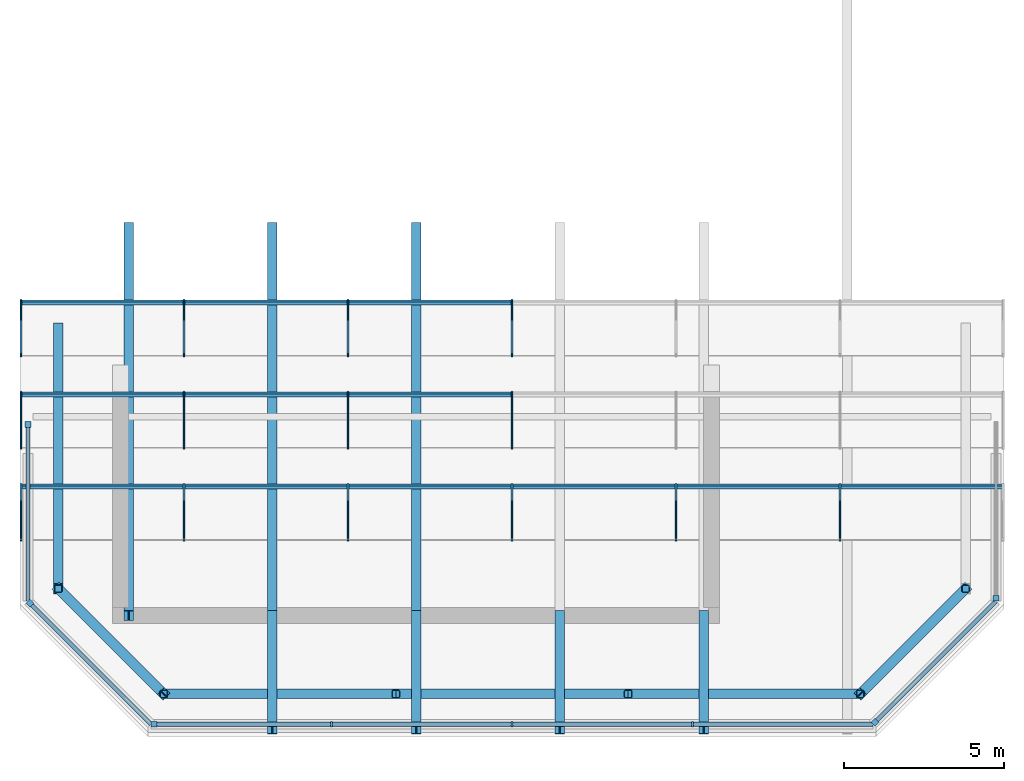
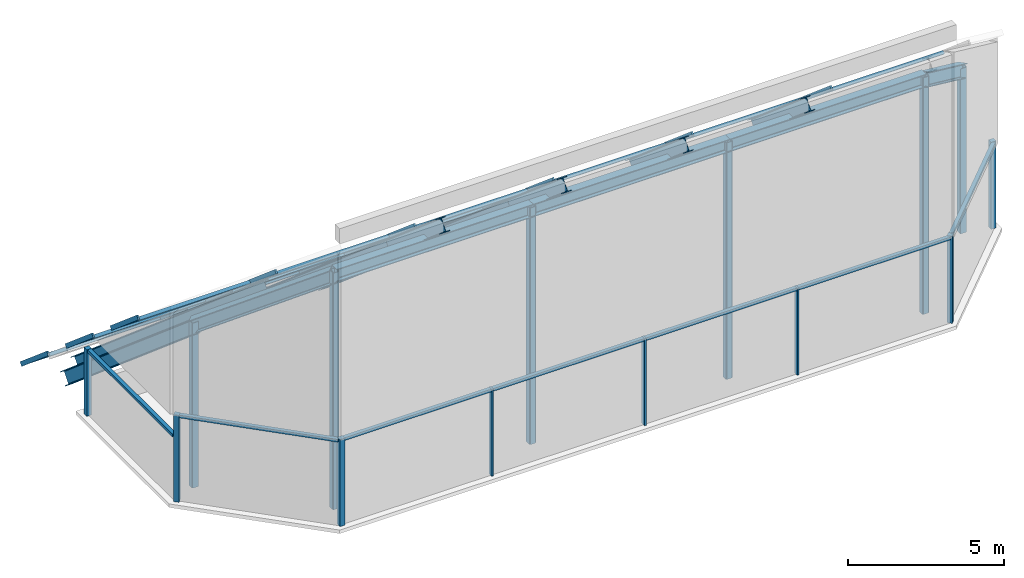
# One storey, part 1 of 3: 48 members, 6 beams, 6 columns, 8 elements without a shape of their own.
"""IFC4 building model written with IfcOpenShell, lengths in metres."""

from ifc_helpers import new_model, si_unit, direction, frame, origin, origin_2d, place, context, subcontext, project, spatial, rectangle, hollow_rectangle, i_section, extrude, material, material_profile, profile_set, type_object, element, aggregate, save


model = new_model("IFC4")

# Units and contexts
model_context = context("Model", 3, precision=1e-05, world=origin(), true_north=direction((0.0, 1.0)))
body_context = subcontext(model_context, "Body", "Model", "MODEL_VIEW")
ifc_project = project(units=[si_unit("LENGTHUNIT", "METRE"), si_unit("AREAUNIT", "SQUARE_METRE"), si_unit("VOLUMEUNIT", "CUBIC_METRE"), si_unit("PLANEANGLEUNIT", "RADIAN"), si_unit("MASSUNIT", "GRAM", prefix="KILO")], contexts=[model_context])

# Site, building, storey
site_placement = place(None, origin())
site = spatial("IfcSite", under=ifc_project, at=site_placement, CompositionType="ELEMENT")
building_placement = place(site_placement, origin())
building = spatial("IfcBuilding", under=site, at=building_placement, Name="Tskaro Facet Tower", CompositionType="ELEMENT")
storey_placement = place(building_placement, frame((0.0, 0.0, 315.300048828125)))
storey = spatial("IfcBuildingStorey", under=building, at=storey_placement, Name="L85", CompositionType="ELEMENT", Elevation=315.300048828125)

# Columns
ifc_material_1 = material(Name="Steel S355J2H", Category="steel")
ifc_material_profile_1 = material_profile(ifc_material_1, hollow_rectangle(XDim=0.25, YDim=0.25, WallThickness=0.02001953125, InnerFilletRadius=0.030029296875, OuterFilletRadius=0.050048828125, at=origin_2d()), Name="SHS 250x250x20")
ifc_profile_set_1 = profile_set([ifc_material_profile_1], Name="Steel S355J2H")
column_type = type_object("IfcColumnType", Name="SHS 250x250x20 ring column", PredefinedType="COLUMN", material=ifc_profile_set_1)
for number, where, z_axis, x_axis, name in (
    (1, (-7.903076171875, -14.199951171875, 0.0), (0.0, 0.0, 1.0), (1.0, 0.0, 0.0), "SHS 250x250x20 RS-1/6"),
    (2, (-0.634033203125, -14.199951171875, 0.0), (0.0, 0.0, 1.0), (1.0, 0.0, 0.0), "SHS 250x250x20 RS-2/6"),
    (3, (6.634033203125, -14.199951171875, 0.0), (0.0, 0.0, 1.0), (1.0, 0.0, 0.0), "SHS 250x250x20 RS-3/6"),
    (4, (13.903076171875, -14.199951171875, 0.0), (0.0, 0.0, 1.0), (1.0, 0.0, 0.0), "SHS 250x250x20 RSE-1/6"),
):
    element("IfcColumn", number, at=place(storey_placement, frame(where, z_axis=z_axis, x_axis=x_axis)), inside=storey, type_object=column_type, Name=name, PredefinedType="COLUMN", context=body_context, shape_type="SweptSolid", body=[
        extrude(hollow_rectangle(XDim=0.25, YDim=0.25, WallThickness=0.02001953125, InnerFilletRadius=0.030029296875, OuterFilletRadius=0.050048828125, at=origin_2d()), origin(), (0.0, 0.0, 1.0), 9.25439453125),
    ])
for number, where, z_axis, x_axis, name in (
    (5, (17.199951171875, -10.903076171875, 0.0), (0.0, 0.0, 1.0), (1.0, 0.0, 0.0), "SHS 250x250x20 RE-1/6"),
    (6, (-11.199951171875, -10.903076171875, 0.0), (0.0, 0.0, 1.0), (1.0, 0.0, 0.0), "SHS 250x250x20 RSW-1/6"),
):
    element("IfcColumn", number, at=place(storey_placement, frame(where, z_axis=z_axis, x_axis=x_axis)), inside=storey, type_object=column_type, Name=name, PredefinedType="COLUMN", context=body_context, shape_type="SweptSolid", body=[
        extrude(hollow_rectangle(XDim=0.25, YDim=0.25, WallThickness=0.02001953125, InnerFilletRadius=0.030029296875, OuterFilletRadius=0.050048828125, at=origin_2d()), origin(), (0.0, 0.0, 1.0), 6.451904296875),
    ])

# Curtain wall, member
ifc_material_2 = material(Name="Bronze anodised aluminium 6063-T6", Category="aluminium")
curtain_wall_type_1 = type_object("IfcCurtainWallType", Name="Bronze crown curtain wall (FW5)", PredefinedType="NOTDEFINED", material=ifc_material_2)
curtain_wall_1_placement = place(storey_placement, origin())
curtain_wall_1 = element("IfcCurtainWall", 7, at=curtain_wall_1_placement, inside=storey, type_object=curtain_wall_type_1, Name="FW5 south facet L85", PredefinedType="NOTDEFINED")
ifc_material_profile_2 = material_profile(ifc_material_2, rectangle(XDim=0.179931640625, YDim=0.179931640625, at=origin_2d()), Name="Corner post 180x180")
ifc_profile_set_2 = profile_set([ifc_material_profile_2], Name="Bronze anodised aluminium 6063-T6")
member_type_1 = type_object("IfcMemberType", Name="FW5 bronze corner post 180x180", PredefinedType="MULLION", material=ifc_profile_set_2)
member_1_placement = place(storey_placement, frame((-8.2060546875, -15.14990234375, 0.0), z_axis=(0.0, 0.0, 1.0), x_axis=(1.0, 0.0, 0.0)))
member_1 = element("IfcMember", 8, at=member_1_placement, type_object=member_type_1, Name="FW5 south corner post", PredefinedType="MULLION", context=body_context, shape_type="SweptSolid", body=[
    extrude(rectangle(XDim=0.179931640625, YDim=0.179931640625, at=origin_2d()), origin(), (0.0, 0.0, 1.0), 3.39990234375),
])

curtain_wall_2_placement = place(storey_placement, origin())
curtain_wall_2 = element("IfcCurtainWall", 9, at=curtain_wall_2_placement, inside=storey, type_object=curtain_wall_type_1, Name="FW5 south-east facet L85", PredefinedType="NOTDEFINED")
member_2_placement = place(storey_placement, frame((14.359619140625, -15.08642578125, 0.0), z_axis=(0.0, 0.0, 1.0), x_axis=(0.707106781187, 0.707106781187, 0.0)))
member_2 = element("IfcMember", 10, at=member_2_placement, type_object=member_type_1, Name="FW5 south-east corner post", PredefinedType="MULLION", context=body_context, shape_type="SweptSolid", body=[
    extrude(rectangle(XDim=0.179931640625, YDim=0.179931640625, at=origin_2d()), origin(), (0.0, 0.0, 1.0), 3.39990234375),
])

curtain_wall_3_placement = place(storey_placement, origin())
curtain_wall_3 = element("IfcCurtainWall", 11, at=curtain_wall_3_placement, inside=storey, type_object=curtain_wall_type_1, Name="FW5 east facet L85", PredefinedType="NOTDEFINED")
member_3_placement = place(storey_placement, frame((18.14990234375, -11.2060546875, 0.0), z_axis=(0.0, 0.0, 1.0), x_axis=(0.0, 1.0, 0.0)))
member_3 = element("IfcMember", 12, at=member_3_placement, type_object=member_type_1, Name="FW5 east corner post", PredefinedType="MULLION", context=body_context, shape_type="SweptSolid", body=[
    extrude(rectangle(XDim=0.179931640625, YDim=0.179931640625, at=origin_2d()), origin(), (0.0, 0.0, 1.0), 3.39990234375),
])
aggregate(curtain_wall_3, [member_3])

curtain_wall_4_placement = place(storey_placement, origin())
curtain_wall_4 = element("IfcCurtainWall", 13, at=curtain_wall_4_placement, inside=storey, type_object=curtain_wall_type_1, Name="FW5 west facet L85", PredefinedType="NOTDEFINED")
member_4_placement = place(storey_placement, frame((-12.14990234375, -5.763916015625, 0.0), z_axis=(0.0, 0.0, 1.0), x_axis=(0.0, -1.0, 0.0)))
member_4 = element("IfcMember", 14, at=member_4_placement, type_object=member_type_1, Name="FW5 west corner post", PredefinedType="MULLION", context=body_context, shape_type="SweptSolid", body=[
    extrude(rectangle(XDim=0.179931640625, YDim=0.179931640625, at=origin_2d()), origin(), (0.0, 0.0, 1.0), 2.600341796875),
])

curtain_wall_5_placement = place(storey_placement, origin())
curtain_wall_5 = element("IfcCurtainWall", 15, at=curtain_wall_5_placement, inside=storey, type_object=curtain_wall_type_1, Name="FW5 south-west facet L85", PredefinedType="NOTDEFINED")
member_5_placement = place(storey_placement, frame((-12.08642578125, -11.359619140625, 0.0), z_axis=(0.0, 0.0, 1.0), x_axis=(0.707106781187, -0.707106781187, 0.0)))
member_5 = element("IfcMember", 16, at=member_5_placement, type_object=member_type_1, Name="FW5 south-west corner post", PredefinedType="MULLION", context=body_context, shape_type="SweptSolid", body=[
    extrude(rectangle(XDim=0.179931640625, YDim=0.179931640625, at=origin_2d()), origin(), (0.0, 0.0, 1.0), 3.39990234375),
])

# Member
ifc_material_profile_3 = material_profile(ifc_material_2, rectangle(XDim=0.070068359375, YDim=0.179931640625, at=origin_2d()), Name="Mullion 70x180")
ifc_profile_set_3 = profile_set([ifc_material_profile_3], Name="Bronze anodised aluminium 6063-T6")
member_type_2 = type_object("IfcMemberType", Name="FW5 bronze mullion 70x180", PredefinedType="MULLION", material=ifc_profile_set_3)
member_6_placement = place(storey_placement, frame((-2.64794921875, -15.14990234375, 0.0), z_axis=(0.0, 0.0, 1.0), x_axis=(1.0, 0.0, 0.0)))
member_6 = element("IfcMember", 17, at=member_6_placement, type_object=member_type_2, Name="FW5 south mullion 1", PredefinedType="MULLION", context=body_context, shape_type="SweptSolid", body=[
    extrude(rectangle(XDim=0.070068359375, YDim=0.179931640625, at=origin_2d()), origin(), (0.0, 0.0, 1.0), 3.39990234375),
])

member_7_placement = place(storey_placement, frame((3.0, -15.14990234375, 0.0), z_axis=(0.0, 0.0, 1.0), x_axis=(1.0, 0.0, 0.0)))
member_7 = element("IfcMember", 18, at=member_7_placement, type_object=member_type_2, Name="FW5 south mullion 2", PredefinedType="MULLION", context=body_context, shape_type="SweptSolid", body=[
    extrude(rectangle(XDim=0.070068359375, YDim=0.179931640625, at=origin_2d()), origin(), (0.0, 0.0, 1.0), 3.39990234375),
])

member_8_placement = place(storey_placement, frame((8.64794921875, -15.14990234375, 0.0), z_axis=(0.0, 0.0, 1.0), x_axis=(1.0, 0.0, 0.0)))
member_8 = element("IfcMember", 19, at=member_8_placement, type_object=member_type_2, Name="FW5 south mullion 3", PredefinedType="MULLION", context=body_context, shape_type="SweptSolid", body=[
    extrude(rectangle(XDim=0.070068359375, YDim=0.179931640625, at=origin_2d()), origin(), (0.0, 0.0, 1.0), 3.39990234375),
])

ifc_material_profile_4 = material_profile(ifc_material_2, rectangle(XDim=0.139892578125, YDim=0.110107421875, at=origin_2d()), Name="Transom 140x110")
ifc_profile_set_4 = profile_set([ifc_material_profile_4], Name="Bronze anodised aluminium 6063-T6")
member_type_3 = type_object("IfcMemberType", Name="FW5 bronze transom 140x110", PredefinedType="USERDEFINED", material=ifc_profile_set_4)
member_9_placement = place(storey_placement, frame((-8.115966796875, -15.14990234375, 3.344970703125), z_axis=(1.0, 0.0, 0.0), x_axis=(0.0, 1.0, 0.0)))
member_9 = element("IfcMember", 20, at=member_9_placement, type_object=member_type_3, Name="FW5 south transom 1.1", ObjectType="TRANSOM", PredefinedType="USERDEFINED", context=body_context, shape_type="SweptSolid", body=[
    extrude(rectangle(XDim=0.139892578125, YDim=0.110107421875, at=origin_2d()), origin(), (0.0, 0.0, 1.0), 5.432861328125),
])

member_10_placement = place(storey_placement, frame((-2.613037109375, -15.14990234375, 3.344970703125), z_axis=(1.0, 0.0, 0.0), x_axis=(0.0, 1.0, 0.0)))
member_10 = element("IfcMember", 21, at=member_10_placement, type_object=member_type_3, Name="FW5 south transom 2.1", ObjectType="TRANSOM", PredefinedType="USERDEFINED", context=body_context, shape_type="SweptSolid", body=[
    extrude(rectangle(XDim=0.139892578125, YDim=0.110107421875, at=origin_2d()), origin(), (0.0, 0.0, 1.0), 5.578125),
])

member_11_placement = place(storey_placement, frame((3.034912109375, -15.14990234375, 3.344970703125), z_axis=(1.0, 0.0, 0.0), x_axis=(0.0, 1.0, 0.0)))
member_11 = element("IfcMember", 22, at=member_11_placement, type_object=member_type_3, Name="FW5 south transom 3.1", ObjectType="TRANSOM", PredefinedType="USERDEFINED", context=body_context, shape_type="SweptSolid", body=[
    extrude(rectangle(XDim=0.139892578125, YDim=0.110107421875, at=origin_2d()), origin(), (0.0, 0.0, 1.0), 5.578125),
])

member_12_placement = place(storey_placement, frame((8.68310546875, -15.14990234375, 3.344970703125), z_axis=(1.0, 0.0, 0.0), x_axis=(0.0, 1.0, 0.0)))
member_12 = element("IfcMember", 23, at=member_12_placement, type_object=member_type_3, Name="FW5 south transom 4.1", ObjectType="TRANSOM", PredefinedType="USERDEFINED", context=body_context, shape_type="SweptSolid", body=[
    extrude(rectangle(XDim=0.139892578125, YDim=0.110107421875, at=origin_2d()), origin(), (0.0, 0.0, 1.0), 5.61279296875),
])

aggregate(curtain_wall_1, [member_1, member_6, member_7, member_8, member_9, member_10, member_11, member_12])

member_13_placement = place(storey_placement, frame((14.42333984375, -15.022705078125, 3.344970703125), z_axis=(0.707083619001, 0.707129942613, 0.0), x_axis=(-0.707129942613, 0.707083619001, 0.0)))
member_13 = element("IfcMember", 24, at=member_13_placement, type_object=member_type_3, Name="FW5 south-east transom 1.1", ObjectType="TRANSOM", PredefinedType="USERDEFINED", context=body_context, shape_type="SweptSolid", body=[
    extrude(rectangle(XDim=0.139892578125, YDim=0.110107421875, at=origin_2d()), origin(), (0.0, 0.0, 1.0), 5.270263671875),
])

aggregate(curtain_wall_2, [member_2, member_13])

member_14_placement = place(storey_placement, frame((-12.14990234375, -5.85400390625, 2.54541015625), z_axis=(0.0, -1.0, 0.0), x_axis=(1.0, 0.0, 0.0)))
member_14 = element("IfcMember", 25, at=member_14_placement, type_object=member_type_3, Name="FW5 west transom 1.1", ObjectType="TRANSOM", PredefinedType="USERDEFINED", context=body_context, shape_type="SweptSolid", body=[
    extrude(rectangle(XDim=0.139892578125, YDim=0.110107421875, at=origin_2d()), origin(), (0.0, 0.0, 1.0), 5.44189453125),
])

aggregate(curtain_wall_4, [member_4, member_14])

member_15_placement = place(storey_placement, frame((-12.022705078125, -11.42333984375, 3.344970703125), z_axis=(0.707129942613, -0.707083619001, 0.0), x_axis=(0.707083619001, 0.707129942613, 0.0)))
member_15 = element("IfcMember", 26, at=member_15_placement, type_object=member_type_3, Name="FW5 south-west transom 1.1", ObjectType="TRANSOM", PredefinedType="USERDEFINED", context=body_context, shape_type="SweptSolid", body=[
    extrude(rectangle(XDim=0.139892578125, YDim=0.110107421875, at=origin_2d()), origin(), (0.0, 0.0, 1.0), 5.270263671875),
])

aggregate(curtain_wall_5, [member_5, member_15])

# Curtain wall, members
curtain_wall_type_2 = type_object("IfcCurtainWallType", Name="Bronze crown roof glazing (FW6)", PredefinedType="NOTDEFINED", material=ifc_material_2)
curtain_wall_6_placement = place(storey_placement, origin())
curtain_wall_6 = element("IfcCurtainWall", 27, at=curtain_wall_6_placement, inside=storey, type_object=curtain_wall_type_2, Name="FW6 roof glazing strip 1", PredefinedType="NOTDEFINED")
ifc_material_profile_5 = material_profile(ifc_material_2, rectangle(XDim=0.06005859375, YDim=0.159912109375, at=origin_2d()), Name="Mullion 60x160")
ifc_profile_set_5 = profile_set([ifc_material_profile_5], Name="Bronze anodised aluminium 6063-T6")
member_type_4 = type_object("IfcMemberType", Name="FW6 bronze mullion 60x160", PredefinedType="MULLION", material=ifc_profile_set_5)
member_16_placement = place(storey_placement, frame((-12.3701171875, -9.36669921875, 6.051513671875), z_axis=(0.0, 0.761969017427, -0.647613477687), x_axis=(-1.0, 0.0, 0.0)))
member_16 = element("IfcMember", 28, at=member_16_placement, type_object=member_type_4, Name="FW6 roof mullion 1.1", PredefinedType="MULLION", context=body_context, shape_type="SweptSolid", body=[
    extrude(rectangle(XDim=0.06005859375, YDim=0.159912109375, at=origin_2d()), origin(), (0.0, 0.0, 1.0), 2.23095703125),
])
member_17_placement = place(storey_placement, frame((-7.2666015625, -9.36669921875, 6.051513671875), z_axis=(0.0, 0.761969017427, -0.647613477687), x_axis=(-1.0, 0.0, 0.0)))
member_17 = element("IfcMember", 29, at=member_17_placement, type_object=member_type_4, Name="FW6 roof mullion 1.2", PredefinedType="MULLION", context=body_context, shape_type="SweptSolid", body=[
    extrude(rectangle(XDim=0.06005859375, YDim=0.159912109375, at=origin_2d()), origin(), (0.0, 0.0, 1.0), 2.23095703125),
])
member_18_placement = place(storey_placement, frame((-2.13330078125, -9.36669921875, 6.051513671875), z_axis=(0.0, 0.761969017427, -0.647613477687), x_axis=(-1.0, 0.0, 0.0)))
member_18 = element("IfcMember", 30, at=member_18_placement, type_object=member_type_4, Name="FW6 roof mullion 1.3", PredefinedType="MULLION", context=body_context, shape_type="SweptSolid", body=[
    extrude(rectangle(XDim=0.06005859375, YDim=0.159912109375, at=origin_2d()), origin(), (0.0, 0.0, 1.0), 2.23095703125),
])
member_19_placement = place(storey_placement, frame((3.0, -9.36669921875, 6.051513671875), z_axis=(0.0, 0.761969017427, -0.647613477687), x_axis=(-1.0, 0.0, 0.0)))
member_19 = element("IfcMember", 31, at=member_19_placement, type_object=member_type_4, Name="FW6 roof mullion 1.4", PredefinedType="MULLION", context=body_context, shape_type="SweptSolid", body=[
    extrude(rectangle(XDim=0.06005859375, YDim=0.159912109375, at=origin_2d()), origin(), (0.0, 0.0, 1.0), 2.23095703125),
])
member_20_placement = place(storey_placement, frame((8.13330078125, -9.36669921875, 6.051513671875), z_axis=(0.0, 0.761969017427, -0.647613477687), x_axis=(-1.0, 0.0, 0.0)))
member_20 = element("IfcMember", 32, at=member_20_placement, type_object=member_type_4, Name="FW6 roof mullion 1.5", PredefinedType="MULLION", context=body_context, shape_type="SweptSolid", body=[
    extrude(rectangle(XDim=0.06005859375, YDim=0.159912109375, at=origin_2d()), origin(), (0.0, 0.0, 1.0), 2.23095703125),
])
member_21_placement = place(storey_placement, frame((13.2666015625, -9.36669921875, 6.051513671875), z_axis=(0.0, 0.761969017427, -0.647613477687), x_axis=(-1.0, 0.0, 0.0)))
member_21 = element("IfcMember", 33, at=member_21_placement, type_object=member_type_4, Name="FW6 roof mullion 1.6", PredefinedType="MULLION", context=body_context, shape_type="SweptSolid", body=[
    extrude(rectangle(XDim=0.06005859375, YDim=0.159912109375, at=origin_2d()), origin(), (0.0, 0.0, 1.0), 2.23095703125),
])

curtain_wall_7_placement = place(storey_placement, origin())
curtain_wall_7 = element("IfcCurtainWall", 34, at=curtain_wall_7_placement, inside=storey, type_object=curtain_wall_type_2, Name="FW6 roof glazing strip 2", PredefinedType="NOTDEFINED")
member_22_placement = place(storey_placement, frame((-12.3701171875, -6.4833984375, 3.600830078125), z_axis=(0.0, 0.761915018562, -0.6476770063), x_axis=(-1.0, 0.0, 0.0)))
member_22 = element("IfcMember", 35, at=member_22_placement, type_object=member_type_4, Name="FW6 roof mullion 2.1", PredefinedType="MULLION", context=body_context, shape_type="SweptSolid", body=[
    extrude(rectangle(XDim=0.06005859375, YDim=0.159912109375, at=origin_2d()), origin(), (0.0, 0.0, 1.0), 2.231201171875),
])
member_23_placement = place(storey_placement, frame((-7.2666015625, -6.4833984375, 3.600830078125), z_axis=(0.0, 0.761915018562, -0.6476770063), x_axis=(-1.0, 0.0, 0.0)))
member_23 = element("IfcMember", 36, at=member_23_placement, type_object=member_type_4, Name="FW6 roof mullion 2.2", PredefinedType="MULLION", context=body_context, shape_type="SweptSolid", body=[
    extrude(rectangle(XDim=0.06005859375, YDim=0.159912109375, at=origin_2d()), origin(), (0.0, 0.0, 1.0), 2.231201171875),
])
member_24_placement = place(storey_placement, frame((-2.13330078125, -6.4833984375, 3.600830078125), z_axis=(0.0, 0.761915018562, -0.6476770063), x_axis=(-1.0, 0.0, 0.0)))
member_24 = element("IfcMember", 37, at=member_24_placement, type_object=member_type_4, Name="FW6 roof mullion 2.3", PredefinedType="MULLION", context=body_context, shape_type="SweptSolid", body=[
    extrude(rectangle(XDim=0.06005859375, YDim=0.159912109375, at=origin_2d()), origin(), (0.0, 0.0, 1.0), 2.231201171875),
])
member_25_placement = place(storey_placement, frame((3.0, -6.4833984375, 3.600830078125), z_axis=(0.0, 0.761915018562, -0.6476770063), x_axis=(-1.0, 0.0, 0.0)))
member_25 = element("IfcMember", 38, at=member_25_placement, type_object=member_type_4, Name="FW6 roof mullion 2.4", PredefinedType="MULLION", context=body_context, shape_type="SweptSolid", body=[
    extrude(rectangle(XDim=0.06005859375, YDim=0.159912109375, at=origin_2d()), origin(), (0.0, 0.0, 1.0), 2.231201171875),
])

curtain_wall_8_placement = place(storey_placement, origin())
curtain_wall_8 = element("IfcCurtainWall", 39, at=curtain_wall_8_placement, inside=storey, type_object=curtain_wall_type_2, Name="FW6 roof glazing strip 3", PredefinedType="NOTDEFINED")
member_26_placement = place(storey_placement, frame((-12.3701171875, -3.60009765625, 1.14990234375), z_axis=(0.0, 0.761960914345, -0.647623011489), x_axis=(-1.0, 0.0, 0.0)))
member_26 = element("IfcMember", 40, at=member_26_placement, type_object=member_type_4, Name="FW6 roof mullion 3.1", PredefinedType="MULLION", context=body_context, shape_type="SweptSolid", body=[
    extrude(rectangle(XDim=0.06005859375, YDim=0.159912109375, at=origin_2d()), origin(), (0.0, 0.0, 1.0), 2.2314453125),
])
member_27_placement = place(storey_placement, frame((-7.2666015625, -3.60009765625, 1.14990234375), z_axis=(0.0, 0.761960914345, -0.647623011489), x_axis=(-1.0, 0.0, 0.0)))
member_27 = element("IfcMember", 41, at=member_27_placement, type_object=member_type_4, Name="FW6 roof mullion 3.2", PredefinedType="MULLION", context=body_context, shape_type="SweptSolid", body=[
    extrude(rectangle(XDim=0.06005859375, YDim=0.159912109375, at=origin_2d()), origin(), (0.0, 0.0, 1.0), 2.2314453125),
])
member_28_placement = place(storey_placement, frame((-2.13330078125, -3.60009765625, 1.14990234375), z_axis=(0.0, 0.761960914345, -0.647623011489), x_axis=(-1.0, 0.0, 0.0)))
member_28 = element("IfcMember", 42, at=member_28_placement, type_object=member_type_4, Name="FW6 roof mullion 3.3", PredefinedType="MULLION", context=body_context, shape_type="SweptSolid", body=[
    extrude(rectangle(XDim=0.06005859375, YDim=0.159912109375, at=origin_2d()), origin(), (0.0, 0.0, 1.0), 2.2314453125),
])
member_29_placement = place(storey_placement, frame((3.0, -3.60009765625, 1.14990234375), z_axis=(0.0, 0.761960914345, -0.647623011489), x_axis=(-1.0, 0.0, 0.0)))
member_29 = element("IfcMember", 43, at=member_29_placement, type_object=member_type_4, Name="FW6 roof mullion 3.4", PredefinedType="MULLION", context=body_context, shape_type="SweptSolid", body=[
    extrude(rectangle(XDim=0.06005859375, YDim=0.159912109375, at=origin_2d()), origin(), (0.0, 0.0, 1.0), 2.2314453125),
])

# Member
ifc_material_profile_6 = material_profile(ifc_material_2, rectangle(XDim=0.1201171875, YDim=0.10009765625, at=origin_2d()), Name="Transom 120x100")
ifc_profile_set_6 = profile_set([ifc_material_profile_6], Name="Bronze anodised aluminium 6063-T6")
member_type_5 = type_object("IfcMemberType", Name="FW6 bronze transom 120x100", PredefinedType="USERDEFINED", material=ifc_profile_set_6)
member_30_placement = place(storey_placement, frame((-12.3701171875, -7.71240234375, 4.6455078125), z_axis=(1.0, 0.0, 0.0), x_axis=(0.0, 0.761939317761, 0.647648420094)))
member_30 = element("IfcMember", 44, at=member_30_placement, type_object=member_type_5, Name="FW6 roof transom 1.1", ObjectType="TRANSOM", PredefinedType="USERDEFINED", context=body_context, shape_type="SweptSolid", body=[
    extrude(rectangle(XDim=0.1201171875, YDim=0.10009765625, at=origin_2d()), origin(), (0.0, 0.0, 1.0), 5.073486328125),
])

member_31_placement = place(storey_placement, frame((-7.236572265625, -7.71240234375, 4.6455078125), z_axis=(1.0, 0.0, 0.0), x_axis=(0.0, 0.761939317761, 0.647648420094)))
member_31 = element("IfcMember", 45, at=member_31_placement, type_object=member_type_5, Name="FW6 roof transom 1.2", ObjectType="TRANSOM", PredefinedType="USERDEFINED", context=body_context, shape_type="SweptSolid", body=[
    extrude(rectangle(XDim=0.1201171875, YDim=0.10009765625, at=origin_2d()), origin(), (0.0, 0.0, 1.0), 5.0732421875),
])

member_32_placement = place(storey_placement, frame((-2.103271484375, -7.71240234375, 4.6455078125), z_axis=(1.0, 0.0, 0.0), x_axis=(0.0, 0.761939317761, 0.647648420094)))
member_32 = element("IfcMember", 46, at=member_32_placement, type_object=member_type_5, Name="FW6 roof transom 1.3", ObjectType="TRANSOM", PredefinedType="USERDEFINED", context=body_context, shape_type="SweptSolid", body=[
    extrude(rectangle(XDim=0.1201171875, YDim=0.10009765625, at=origin_2d()), origin(), (0.0, 0.0, 1.0), 5.0732421875),
])

member_33_placement = place(storey_placement, frame((3.030029296875, -7.71240234375, 4.6455078125), z_axis=(1.0, 0.0, 0.0), x_axis=(0.0, 0.761939317761, 0.647648420094)))
member_33 = element("IfcMember", 47, at=member_33_placement, type_object=member_type_5, Name="FW6 roof transom 1.4", ObjectType="TRANSOM", PredefinedType="USERDEFINED", context=body_context, shape_type="SweptSolid", body=[
    extrude(rectangle(XDim=0.1201171875, YDim=0.10009765625, at=origin_2d()), origin(), (0.0, 0.0, 1.0), 5.0732421875),
])

member_34_placement = place(storey_placement, frame((8.163330078125, -7.71240234375, 4.6455078125), z_axis=(1.0, 0.0, 0.0), x_axis=(0.0, 0.761939317761, 0.647648420094)))
member_34 = element("IfcMember", 48, at=member_34_placement, type_object=member_type_5, Name="FW6 roof transom 1.5", ObjectType="TRANSOM", PredefinedType="USERDEFINED", context=body_context, shape_type="SweptSolid", body=[
    extrude(rectangle(XDim=0.1201171875, YDim=0.10009765625, at=origin_2d()), origin(), (0.0, 0.0, 1.0), 5.0732421875),
])

member_35_placement = place(storey_placement, frame((13.296630859375, -7.71240234375, 4.6455078125), z_axis=(1.0, 0.0, 0.0), x_axis=(0.0, 0.761939317761, 0.647648420094)))
member_35 = element("IfcMember", 49, at=member_35_placement, type_object=member_type_5, Name="FW6 roof transom 1.6", ObjectType="TRANSOM", PredefinedType="USERDEFINED", context=body_context, shape_type="SweptSolid", body=[
    extrude(rectangle(XDim=0.1201171875, YDim=0.10009765625, at=origin_2d()), origin(), (0.0, 0.0, 1.0), 5.073486328125),
])

aggregate(curtain_wall_6, [member_16, member_17, member_18, member_19, member_20, member_21, member_30, member_31, member_32, member_33, member_34, member_35])

member_36_placement = place(storey_placement, frame((-12.3701171875, -4.8291015625, 2.194580078125), z_axis=(1.0, 0.0, 0.0), x_axis=(0.0, 0.761939317761, 0.647648420094)))
member_36 = element("IfcMember", 50, at=member_36_placement, type_object=member_type_5, Name="FW6 roof transom 2.1", ObjectType="TRANSOM", PredefinedType="USERDEFINED", context=body_context, shape_type="SweptSolid", body=[
    extrude(rectangle(XDim=0.1201171875, YDim=0.10009765625, at=origin_2d()), origin(), (0.0, 0.0, 1.0), 5.073486328125),
])

member_37_placement = place(storey_placement, frame((-7.236572265625, -4.8291015625, 2.194580078125), z_axis=(1.0, 0.0, 0.0), x_axis=(0.0, 0.761939317761, 0.647648420094)))
member_37 = element("IfcMember", 51, at=member_37_placement, type_object=member_type_5, Name="FW6 roof transom 2.2", ObjectType="TRANSOM", PredefinedType="USERDEFINED", context=body_context, shape_type="SweptSolid", body=[
    extrude(rectangle(XDim=0.1201171875, YDim=0.10009765625, at=origin_2d()), origin(), (0.0, 0.0, 1.0), 5.0732421875),
])

member_38_placement = place(storey_placement, frame((-2.103271484375, -4.8291015625, 2.194580078125), z_axis=(1.0, 0.0, 0.0), x_axis=(0.0, 0.761939317761, 0.647648420094)))
member_38 = element("IfcMember", 52, at=member_38_placement, type_object=member_type_5, Name="FW6 roof transom 2.3", ObjectType="TRANSOM", PredefinedType="USERDEFINED", context=body_context, shape_type="SweptSolid", body=[
    extrude(rectangle(XDim=0.1201171875, YDim=0.10009765625, at=origin_2d()), origin(), (0.0, 0.0, 1.0), 5.0732421875),
])

aggregate(curtain_wall_7, [member_22, member_23, member_24, member_25, member_36, member_37, member_38])

member_39_placement = place(storey_placement, frame((-12.3701171875, -1.94580078125, -0.256103515625), z_axis=(1.0, 0.0, 0.0), x_axis=(0.0, 0.761939317761, 0.647648420094)))
member_39 = element("IfcMember", 53, at=member_39_placement, type_object=member_type_5, Name="FW6 roof transom 3.1", ObjectType="TRANSOM", PredefinedType="USERDEFINED", context=body_context, shape_type="SweptSolid", body=[
    extrude(rectangle(XDim=0.1201171875, YDim=0.10009765625, at=origin_2d()), origin(), (0.0, 0.0, 1.0), 5.073486328125),
])

member_40_placement = place(storey_placement, frame((-7.236572265625, -1.94580078125, -0.256103515625), z_axis=(1.0, 0.0, 0.0), x_axis=(0.0, 0.761939317761, 0.647648420094)))
member_40 = element("IfcMember", 54, at=member_40_placement, type_object=member_type_5, Name="FW6 roof transom 3.2", ObjectType="TRANSOM", PredefinedType="USERDEFINED", context=body_context, shape_type="SweptSolid", body=[
    extrude(rectangle(XDim=0.1201171875, YDim=0.10009765625, at=origin_2d()), origin(), (0.0, 0.0, 1.0), 5.0732421875),
])

member_41_placement = place(storey_placement, frame((-2.103271484375, -1.94580078125, -0.256103515625), z_axis=(1.0, 0.0, 0.0), x_axis=(0.0, 0.761939317761, 0.647648420094)))
member_41 = element("IfcMember", 55, at=member_41_placement, type_object=member_type_5, Name="FW6 roof transom 3.3", ObjectType="TRANSOM", PredefinedType="USERDEFINED", context=body_context, shape_type="SweptSolid", body=[
    extrude(rectangle(XDim=0.1201171875, YDim=0.10009765625, at=origin_2d()), origin(), (0.0, 0.0, 1.0), 5.0732421875),
])

aggregate(curtain_wall_8, [member_26, member_27, member_28, member_29, member_39, member_40, member_41])

# Members
ifc_material_3 = material(Name="Steel S355J2", Category="steel")
ifc_material_profile_7 = material_profile(ifc_material_3, i_section(OverallWidth=0.300048828125, OverallDepth=0.489990234375, WebThickness=0.011962890625, FlangeThickness=0.02294921875, FilletRadius=0.027099609375, at=origin_2d()), Name="HE 500 A")
ifc_profile_set_7 = profile_set([ifc_material_profile_7], Name="Steel S355J2")
member_type_6 = type_object("IfcMemberType", Name="HE 500 A rafter", PredefinedType="RAFTER", material=ifc_profile_set_7)
member_42_placement = place(storey_placement, frame((-9.0, -11.75, 7.493408203125), z_axis=(0.0, 0.761940073282, -0.647647531244), x_axis=(-1.0, 0.0, 0.0)))
element("IfcMember", 56, at=member_42_placement, inside=storey, type_object=member_type_6, Name="HE 500 A RF1-1/6", PredefinedType="RAFTER", context=body_context, shape_type="SweptSolid", body=[
    extrude(i_section(OverallWidth=0.300048828125, OverallDepth=0.489990234375, WebThickness=0.011962890625, FlangeThickness=0.02294921875, FilletRadius=0.027099609375, at=origin_2d()), origin(), (0.0, 0.0, 1.0), 15.946044921875),
])
member_43_placement = place(storey_placement, frame((-4.5, -15.300048828125, 10.510986328125), z_axis=(0.0, 0.761935439147, -0.647652983141), x_axis=(-1.0, 0.0, 0.0)))
element("IfcMember", 57, at=member_43_placement, inside=storey, type_object=member_type_6, Name="HE 500 A RF2-1/6", PredefinedType="RAFTER", context=body_context, shape_type="SweptSolid", body=[
    extrude(i_section(OverallWidth=0.300048828125, OverallDepth=0.489990234375, WebThickness=0.011962890625, FlangeThickness=0.02294921875, FilletRadius=0.027099609375, at=origin_2d()), origin(), (0.0, 0.0, 1.0), 4.6591796875),
])
member_44_placement = place(storey_placement, frame((-4.5, -11.75, 7.493408203125), z_axis=(0.0, 0.761940073282, -0.647647531244), x_axis=(-1.0, 0.0, 0.0)))
element("IfcMember", 58, at=member_44_placement, inside=storey, type_object=member_type_6, Name="HE 500 A RF2-2/6", PredefinedType="RAFTER", context=body_context, shape_type="SweptSolid", body=[
    extrude(i_section(OverallWidth=0.300048828125, OverallDepth=0.489990234375, WebThickness=0.011962890625, FlangeThickness=0.02294921875, FilletRadius=0.027099609375, at=origin_2d()), origin(), (0.0, 0.0, 1.0), 15.946044921875),
])
member_45_placement = place(storey_placement, frame((0.0, -15.300048828125, 10.510986328125), z_axis=(0.0, 0.761935439147, -0.647652983141), x_axis=(-1.0, 0.0, 0.0)))
element("IfcMember", 59, at=member_45_placement, inside=storey, type_object=member_type_6, Name="HE 500 A RF3-1/6", PredefinedType="RAFTER", context=body_context, shape_type="SweptSolid", body=[
    extrude(i_section(OverallWidth=0.300048828125, OverallDepth=0.489990234375, WebThickness=0.011962890625, FlangeThickness=0.02294921875, FilletRadius=0.027099609375, at=origin_2d()), origin(), (0.0, 0.0, 1.0), 4.6591796875),
])
member_46_placement = place(storey_placement, frame((0.0, -11.75, 7.493408203125), z_axis=(0.0, 0.761940073282, -0.647647531244), x_axis=(-1.0, 0.0, 0.0)))
element("IfcMember", 60, at=member_46_placement, inside=storey, type_object=member_type_6, Name="HE 500 A RF3-2/6", PredefinedType="RAFTER", context=body_context, shape_type="SweptSolid", body=[
    extrude(i_section(OverallWidth=0.300048828125, OverallDepth=0.489990234375, WebThickness=0.011962890625, FlangeThickness=0.02294921875, FilletRadius=0.027099609375, at=origin_2d()), origin(), (0.0, 0.0, 1.0), 15.946044921875),
])
for number, where, z_axis, x_axis, name in (
    (61, (4.5, -15.300048828125, 10.510986328125), (0.0, 0.761935439147, -0.647652983141), (-1.0, 0.0, 0.0), "HE 500 A RF4-1/6"),
    (62, (9.0, -15.300048828125, 10.510986328125), (0.0, 0.761935439147, -0.647652983141), (-1.0, 0.0, 0.0), "HE 500 A RF5-1/6"),
):
    element("IfcMember", number, at=place(storey_placement, frame(where, z_axis=z_axis, x_axis=x_axis)), inside=storey, type_object=member_type_6, Name=name, PredefinedType="RAFTER", context=body_context, shape_type="SweptSolid", body=[
        extrude(i_section(OverallWidth=0.300048828125, OverallDepth=0.489990234375, WebThickness=0.011962890625, FlangeThickness=0.02294921875, FilletRadius=0.027099609375, at=origin_2d()), origin(), (0.0, 0.0, 1.0), 4.6591796875),
    ])

# Beams
ifc_material_profile_8 = material_profile(ifc_material_3, i_section(OverallWidth=0.300048828125, OverallDepth=0.5, WebThickness=0.014404296875, FlangeThickness=0.028076171875, FilletRadius=0.027099609375, at=origin_2d()), Name="HE 500 B")
ifc_profile_set_8 = profile_set([ifc_material_profile_8], Name="Steel S355J2")
beam_type = type_object("IfcBeamType", Name="HE 500 B roof ring beam", PredefinedType="BEAM", material=ifc_profile_set_8)
beam_1_placement = place(storey_placement, frame((-7.903076171875, -14.199951171875, 9.1318359375), z_axis=(1.0, 0.0, 0.0), x_axis=(0.0, 1.0, 0.0)))
element("IfcBeam", 63, at=beam_1_placement, inside=storey, type_object=beam_type, Name="HE 500 B RB1-6", PredefinedType="BEAM", context=body_context, shape_type="SweptSolid", body=[
    extrude(i_section(OverallWidth=0.300048828125, OverallDepth=0.5, WebThickness=0.014404296875, FlangeThickness=0.028076171875, FilletRadius=0.027099609375, at=origin_2d()), origin(), (0.0, 0.0, 1.0), 7.26904296875),
])
beam_2_placement = place(storey_placement, frame((-0.634033203125, -14.199951171875, 9.1318359375), z_axis=(1.0, 0.0, 0.0), x_axis=(0.0, 1.0, 0.0)))
element("IfcBeam", 64, at=beam_2_placement, inside=storey, type_object=beam_type, Name="HE 500 B RB2-6", PredefinedType="BEAM", context=body_context, shape_type="SweptSolid", body=[
    extrude(i_section(OverallWidth=0.300048828125, OverallDepth=0.5, WebThickness=0.014404296875, FlangeThickness=0.028076171875, FilletRadius=0.027099609375, at=origin_2d()), origin(), (0.0, 0.0, 1.0), 7.26806640625),
])
beam_3_placement = place(storey_placement, frame((6.634033203125, -14.199951171875, 9.1318359375), z_axis=(1.0, 0.0, 0.0), x_axis=(0.0, 1.0, 0.0)))
element("IfcBeam", 65, at=beam_3_placement, inside=storey, type_object=beam_type, Name="HE 500 B RB3-6", PredefinedType="BEAM", context=body_context, shape_type="SweptSolid", body=[
    extrude(i_section(OverallWidth=0.300048828125, OverallDepth=0.5, WebThickness=0.014404296875, FlangeThickness=0.028076171875, FilletRadius=0.027099609375, at=origin_2d()), origin(), (0.0, 0.0, 1.0), 7.26904296875),
])
beam_4_placement = place(storey_placement, frame((13.903076171875, -14.199951171875, 9.094482421875), z_axis=(0.606052198728, 0.606052198728, -0.515171296594), x_axis=(-0.707106781187, 0.707106781187, 0.0)))
element("IfcBeam", 66, at=beam_4_placement, inside=storey, type_object=beam_type, Name="HE 500 B RB4-6", PredefinedType="BEAM", context=body_context, shape_type="SweptSolid", body=[
    extrude(i_section(OverallWidth=0.300048828125, OverallDepth=0.5, WebThickness=0.014404296875, FlangeThickness=0.028076171875, FilletRadius=0.027099609375, at=origin_2d()), origin(), (0.0, 0.0, 1.0), 5.43994140625),
])
beam_5_placement = place(storey_placement, frame((-11.199951171875, -2.75, -0.72802734375), z_axis=(0.0, -0.761947762015, 0.647638485546), x_axis=(1.0, 0.0, 0.0)))
element("IfcBeam", 67, at=beam_5_placement, inside=storey, type_object=beam_type, Name="HE 500 B RB14-6", PredefinedType="BEAM", context=body_context, shape_type="SweptSolid", body=[
    extrude(i_section(OverallWidth=0.300048828125, OverallDepth=0.5, WebThickness=0.014404296875, FlangeThickness=0.028076171875, FilletRadius=0.027099609375, at=origin_2d()), origin(), (0.0, 0.0, 1.0), 10.7001953125),
])
beam_6_placement = place(storey_placement, frame((-11.199951171875, -10.903076171875, 6.2919921875), z_axis=(0.606052198728, -0.606052198728, 0.515171296594), x_axis=(0.707106781187, 0.707106781187, 0.0)))
element("IfcBeam", 68, at=beam_6_placement, inside=storey, type_object=beam_type, Name="HE 500 B RB15-6", PredefinedType="BEAM", context=body_context, shape_type="SweptSolid", body=[
    extrude(i_section(OverallWidth=0.300048828125, OverallDepth=0.5, WebThickness=0.014404296875, FlangeThickness=0.028076171875, FilletRadius=0.027099609375, at=origin_2d()), origin(), (0.0, 0.0, 1.0), 5.43994140625),
])

save(model, "model.ifc")
